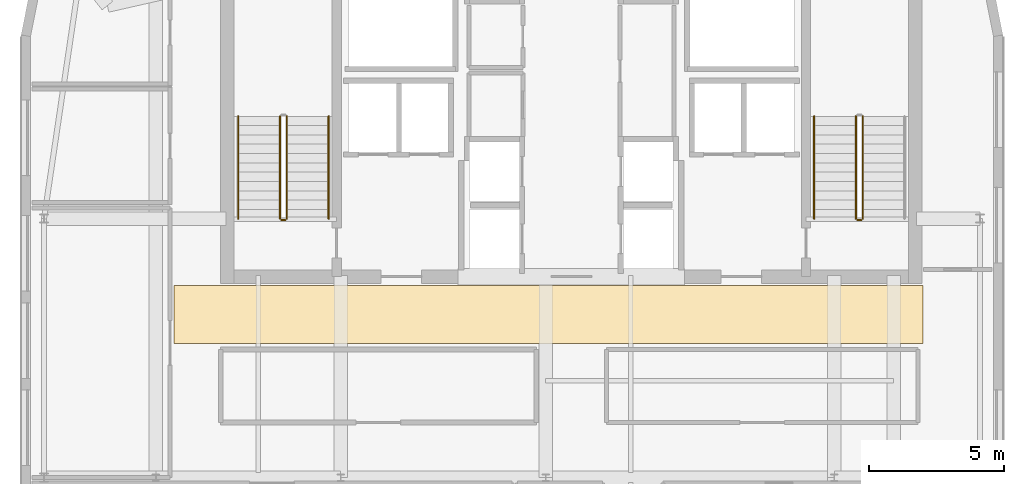
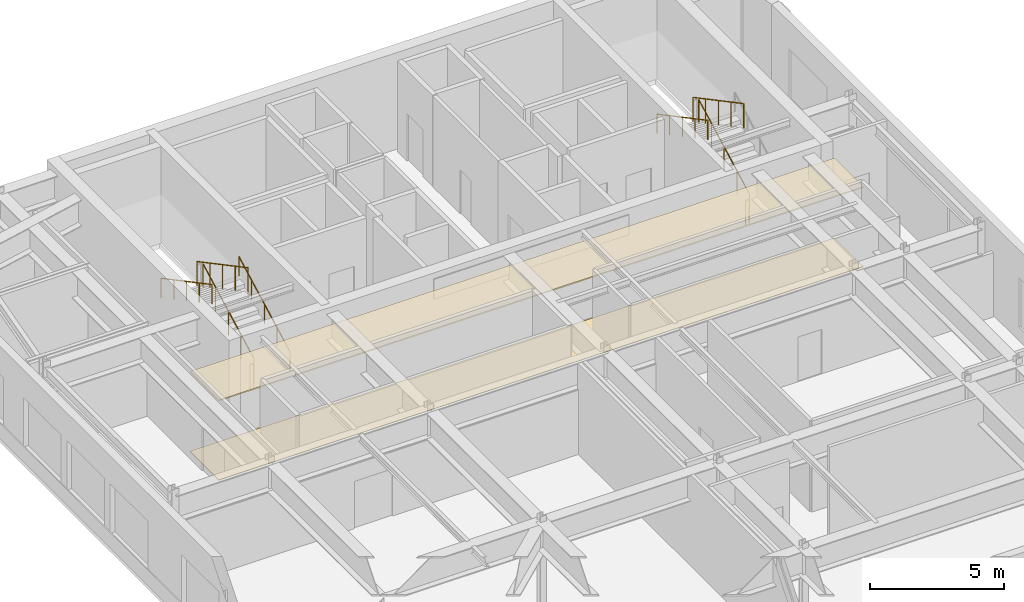
# One storey, part 11 of 13: 9 railings, 2 coverings.
"""IFC4 building model written with IfcOpenShell, lengths in metres."""

from ifc_helpers import new_model, si_unit, direction, frame, origin, origin_2d, place, context, subcontext, project, spatial, polyline, circle, outline, extrude, material, layer, layer_set, type_object, element, save


model = new_model("IFC4")

# Units and contexts
model_context = context("Model", 3, precision=1e-05, world=origin(), true_north=direction((0.0, 1.0)))
body_context = subcontext(model_context, "Body", "Model", "MODEL_VIEW")
ifc_project = project(units=[si_unit("LENGTHUNIT", "METRE"), si_unit("AREAUNIT", "SQUARE_METRE"), si_unit("VOLUMEUNIT", "CUBIC_METRE"), si_unit("PLANEANGLEUNIT", "RADIAN"), si_unit("MASSUNIT", "GRAM", prefix="KILO")], contexts=[model_context])

# Site, building, storey
site_placement = place(None, origin())
site = spatial("IfcSite", under=ifc_project, at=site_placement, CompositionType="ELEMENT")
building_placement = place(site_placement, origin())
building = spatial("IfcBuilding", under=site, at=building_placement, Name="Tolvann Quenvar Hotel", CompositionType="ELEMENT")
storey_placement = place(building_placement, frame((0.0, 0.0, 286.550048828125)))
storey = spatial("IfcBuildingStorey", under=building, at=storey_placement, Name="L76", CompositionType="ELEMENT", Elevation=286.550048828125)

# Coverings
ifc_material_1 = material(Name="Micro-perforated acoustic mineral-fibre and timber-batten suspended ceiling", Category="wood")
ifc_layer_1 = layer(ifc_material_1, 0.054931640625)
ifc_layer_set_1 = layer_set([ifc_layer_1], Name="Micro-perforated acoustic mineral-fibre and timber-batten suspended ceiling")
covering_type_1 = type_object("IfcCoveringType", Name="COV_CEIL_TIMBER_55", PredefinedType="CEILING", material=ifc_layer_set_1)
covering_1_placement = place(storey_placement, frame((0.0, 0.0, 3.599853515625)))
element("IfcCovering", 1, at=covering_1_placement, inside=storey, type_object=covering_type_1, Name="Suspended Acoustic Ceiling (Altitude Dining Reception Foyer)", PredefinedType="CEILING", context=body_context, shape_type="SweptSolid", body=[
    extrude(outline(polyline([(8.27001953125, 29.3701171875), (36.030029296875, 29.3701171875), (36.030029296875, 31.530029296875), (8.27001953125, 31.530029296875), (8.27001953125, 29.3701171875)])), origin(), (0.0, 0.0, 1.0), 0.05517578125),
])
ifc_material_2 = material(Name="Honed Australian bluestone, terrazzo and engineered oak flooring", Category="masonry")
ifc_layer_2 = layer(ifc_material_2, 0.02001953125)
ifc_layer_set_2 = layer_set([ifc_layer_2], Name="Honed Australian bluestone, terrazzo and engineered oak flooring")
covering_type_2 = type_object("IfcCoveringType", Name="COV_FLOOR_STONE_20", PredefinedType="FLOORING", material=ifc_layer_set_2)
covering_2_placement = place(storey_placement, origin())
element("IfcCovering", 2, at=covering_2_placement, inside=storey, type_object=covering_type_2, Name="Architectural Floor Finish (Altitude Dining Reception Foyer)", PredefinedType="FLOORING", context=body_context, shape_type="SweptSolid", body=[
    extrude(outline(polyline([(8.27001953125, 29.3701171875), (36.030029296875, 29.3701171875), (36.030029296875, 31.530029296875), (8.27001953125, 31.530029296875), (8.27001953125, 29.3701171875)])), origin(), (0.0, 0.0, 1.0), 0.02001953125),
])

# Railings
ifc_material_3 = material(Name="Brushed 316 stainless steel balustrade and handrail", Category="steel")
railing_type_1 = type_object("IfcRailingType", Name="GUARDRAIL", PredefinedType="GUARDRAIL", material=ifc_material_3)
railing_1_placement = place(storey_placement, frame((12.449951171875, 34.0, 0.183349609375)))
element("IfcRailing", 3, at=railing_1_placement, inside=storey, type_object=railing_type_1, Name="L76 ST-C1 stair guard 1", PredefinedType="GUARDRAIL", context=body_context, shape_type="SweptSolid", body=[
    extrude(circle(Radius=0.02392578125, at=origin_2d()), frame((0.0, 0.0, 1.09619140625), z_axis=(0.0, 0.883062754136, 0.469254911809), x_axis=(-1.0, 0.0, 0.0)), (0.0, 0.0, 1.0), 4.29736328125),
    extrude(circle(Radius=0.02099609375, at=origin_2d()), origin(), (0.0, 0.0, 1.0), 1.072021484375),
    extrude(circle(Radius=0.02099609375, at=origin_2d()), frame((0.0, 0.94873046875, 0.504150390625)), (0.0, 0.0, 1.0), 1.072021484375),
    extrude(circle(Radius=0.02099609375, at=origin_2d()), frame((0.0, 1.8974609375, 1.00830078125)), (0.0, 0.0, 1.0), 1.072021484375),
    extrude(circle(Radius=0.02099609375, at=origin_2d()), frame((0.0, 2.84619140625, 1.512451171875)), (0.0, 0.0, 1.0), 1.072021484375),
    extrude(circle(Radius=0.02099609375, at=origin_2d()), frame((0.0, 3.794921875, 2.0166015625)), (0.0, 0.0, 1.0), 1.072021484375),
])
railing_2_placement = place(storey_placement, frame((12.199951171875, 37.794921875, 2.38330078125)))
element("IfcRailing", 4, at=railing_2_placement, inside=storey, type_object=railing_type_1, Name="L76 ST-C1 stair guard 3", PredefinedType="GUARDRAIL", context=body_context, shape_type="SweptSolid", body=[
    extrude(circle(Radius=0.02392578125, at=origin_2d()), frame((0.0, 0.0, 1.09619140625), z_axis=(0.0, -0.883062754136, 0.469254911809), x_axis=(1.0, 0.0, 0.0)), (0.0, 0.0, 1.0), 4.29736328125),
    extrude(circle(Radius=0.02099609375, at=origin_2d()), origin(), (0.0, 0.0, 1.0), 1.072021484375),
    extrude(circle(Radius=0.02099609375, at=origin_2d()), frame((0.0, -0.94873046875, 0.504150390625)), (0.0, 0.0, 1.0), 1.072021484375),
    extrude(circle(Radius=0.02099609375, at=origin_2d()), frame((0.0, -1.8974609375, 1.00830078125)), (0.0, 0.0, 1.0), 1.072021484375),
    extrude(circle(Radius=0.02099609375, at=origin_2d()), frame((0.0, -2.84619140625, 1.512451171875)), (0.0, 0.0, 1.0), 1.072021484375),
    extrude(circle(Radius=0.02099609375, at=origin_2d()), frame((0.0, -3.794921875, 2.0166015625)), (0.0, 0.0, 1.0), 1.072021484375),
])
railing_3_placement = place(storey_placement, frame((12.39990234375, 33.949951171875, 0.0)))
element("IfcRailing", 5, at=railing_3_placement, inside=storey, type_object=railing_type_1, Name="L76 ST-C1 stair guard 4", PredefinedType="GUARDRAIL", context=body_context, shape_type="SweptSolid", body=[
    extrude(circle(Radius=0.02392578125, at=origin_2d()), frame((0.0, 0.0, 1.09619140625), z_axis=(-1.0, 0.0, 0.0), x_axis=(0.0, -1.0, 0.0)), (0.0, 0.0, 1.0), 0.14990234375),
    extrude(circle(Radius=0.02099609375, at=origin_2d()), origin(), (0.0, 0.0, 1.0), 1.072021484375),
    extrude(circle(Radius=0.02099609375, at=origin_2d()), frame((-0.14990234375, 0.0, 0.0)), (0.0, 0.0, 1.0), 1.072021484375),
])
railing_4_placement = place(storey_placement, frame((33.800048828125, 34.0, 0.183349609375)))
element("IfcRailing", 6, at=railing_4_placement, inside=storey, type_object=railing_type_1, Name="L76 ST-C2 stair guard 1", PredefinedType="GUARDRAIL", context=body_context, shape_type="SweptSolid", body=[
    extrude(circle(Radius=0.02392578125, at=origin_2d()), frame((0.0, 0.0, 1.09619140625), z_axis=(0.0, 0.883062754136, 0.469254911809), x_axis=(-1.0, 0.0, 0.0)), (0.0, 0.0, 1.0), 4.29736328125),
    extrude(circle(Radius=0.02099609375, at=origin_2d()), origin(), (0.0, 0.0, 1.0), 1.072021484375),
    extrude(circle(Radius=0.02099609375, at=origin_2d()), frame((0.0, 0.94873046875, 0.504150390625)), (0.0, 0.0, 1.0), 1.072021484375),
    extrude(circle(Radius=0.02099609375, at=origin_2d()), frame((0.0, 1.8974609375, 1.00830078125)), (0.0, 0.0, 1.0), 1.072021484375),
    extrude(circle(Radius=0.02099609375, at=origin_2d()), frame((0.0, 2.84619140625, 1.512451171875)), (0.0, 0.0, 1.0), 1.072021484375),
    extrude(circle(Radius=0.02099609375, at=origin_2d()), frame((0.0, 3.794921875, 2.0166015625)), (0.0, 0.0, 1.0), 1.072021484375),
])
railing_5_placement = place(storey_placement, frame((33.550048828125, 37.794921875, 2.38330078125)))
element("IfcRailing", 7, at=railing_5_placement, inside=storey, type_object=railing_type_1, Name="L76 ST-C2 stair guard 3", PredefinedType="GUARDRAIL", context=body_context, shape_type="SweptSolid", body=[
    extrude(circle(Radius=0.02392578125, at=origin_2d()), frame((0.0, 0.0, 1.09619140625), z_axis=(0.0, -0.883062754136, 0.469254911809), x_axis=(1.0, 0.0, 0.0)), (0.0, 0.0, 1.0), 4.29736328125),
    extrude(circle(Radius=0.02099609375, at=origin_2d()), origin(), (0.0, 0.0, 1.0), 1.072021484375),
    extrude(circle(Radius=0.02099609375, at=origin_2d()), frame((0.0, -0.94873046875, 0.504150390625)), (0.0, 0.0, 1.0), 1.072021484375),
    extrude(circle(Radius=0.02099609375, at=origin_2d()), frame((0.0, -1.8974609375, 1.00830078125)), (0.0, 0.0, 1.0), 1.072021484375),
    extrude(circle(Radius=0.02099609375, at=origin_2d()), frame((0.0, -2.84619140625, 1.512451171875)), (0.0, 0.0, 1.0), 1.072021484375),
    extrude(circle(Radius=0.02099609375, at=origin_2d()), frame((0.0, -3.794921875, 2.0166015625)), (0.0, 0.0, 1.0), 1.072021484375),
])
railing_6_placement = place(storey_placement, frame((33.75, 33.949951171875, 0.0)))
element("IfcRailing", 8, at=railing_6_placement, inside=storey, type_object=railing_type_1, Name="L76 ST-C2 stair guard 4", PredefinedType="GUARDRAIL", context=body_context, shape_type="SweptSolid", body=[
    extrude(circle(Radius=0.02392578125, at=origin_2d()), frame((0.0, 0.0, 1.09619140625), z_axis=(-1.0, 0.0, 0.0), x_axis=(0.0, -1.0, 0.0)), (0.0, 0.0, 1.0), 0.14990234375),
    extrude(circle(Radius=0.02099609375, at=origin_2d()), origin(), (0.0, 0.0, 1.0), 1.072021484375),
    extrude(circle(Radius=0.02099609375, at=origin_2d()), frame((-0.14990234375, 0.0, 0.0)), (0.0, 0.0, 1.0), 1.072021484375),
])
railing_type_2 = type_object("IfcRailingType", Name="HANDRAIL", PredefinedType="HANDRAIL", material=ifc_material_3)
railing_7_placement = place(storey_placement, frame((14.0, 34.0, 0.183349609375)))
element("IfcRailing", 9, at=railing_7_placement, inside=storey, type_object=railing_type_2, Name="L76 ST-C1 stair handrail 1", PredefinedType="HANDRAIL", context=body_context, shape_type="SweptSolid", body=[
    extrude(circle(Radius=0.02392578125, at=origin_2d()), frame((0.0, 0.0, 0.8759765625), z_axis=(0.0, 0.883062754136, 0.469254911809), x_axis=(-1.0, 0.0, 0.0)), (0.0, 0.0, 1.0), 4.29736328125),
    extrude(circle(Radius=0.02099609375, at=origin_2d()), origin(), (0.0, 0.0, 1.0), 0.851806640625),
    extrude(circle(Radius=0.02099609375, at=origin_2d()), frame((0.0, 0.94873046875, 0.504150390625)), (0.0, 0.0, 1.0), 0.851806640625),
    extrude(circle(Radius=0.02099609375, at=origin_2d()), frame((0.0, 1.8974609375, 1.00830078125)), (0.0, 0.0, 1.0), 0.851806640625),
    extrude(circle(Radius=0.02099609375, at=origin_2d()), frame((0.0, 2.84619140625, 1.512451171875)), (0.0, 0.0, 1.0), 0.851806640625),
    extrude(circle(Radius=0.02099609375, at=origin_2d()), frame((0.0, 3.794921875, 2.0166015625)), (0.0, 0.0, 1.0), 0.851806640625),
])
for number, where, name in (
    (10, (10.64990234375, 37.794921875, 2.38330078125), "L76 ST-C1 stair handrail 2"),
    (11, (32.0, 37.794921875, 2.38330078125), "L76 ST-C2 stair handrail 2"),
):
    element("IfcRailing", number, at=place(storey_placement, frame(where)), inside=storey, type_object=railing_type_2, Name=name, PredefinedType="HANDRAIL", context=body_context, shape_type="SweptSolid", body=[
        extrude(circle(Radius=0.02392578125, at=origin_2d()), frame((0.0, 0.0, 0.8759765625), z_axis=(0.0, -0.883062754136, 0.469254911809), x_axis=(1.0, 0.0, 0.0)), (0.0, 0.0, 1.0), 4.29736328125),
        extrude(circle(Radius=0.02099609375, at=origin_2d()), origin(), (0.0, 0.0, 1.0), 0.851806640625),
        extrude(circle(Radius=0.02099609375, at=origin_2d()), frame((0.0, -0.94873046875, 0.504150390625)), (0.0, 0.0, 1.0), 0.851806640625),
        extrude(circle(Radius=0.02099609375, at=origin_2d()), frame((0.0, -1.8974609375, 1.00830078125)), (0.0, 0.0, 1.0), 0.851806640625),
        extrude(circle(Radius=0.02099609375, at=origin_2d()), frame((0.0, -2.84619140625, 1.512451171875)), (0.0, 0.0, 1.0), 0.851806640625),
        extrude(circle(Radius=0.02099609375, at=origin_2d()), frame((0.0, -3.794921875, 2.0166015625)), (0.0, 0.0, 1.0), 0.851806640625),
    ])

save(model, "model.ifc")
